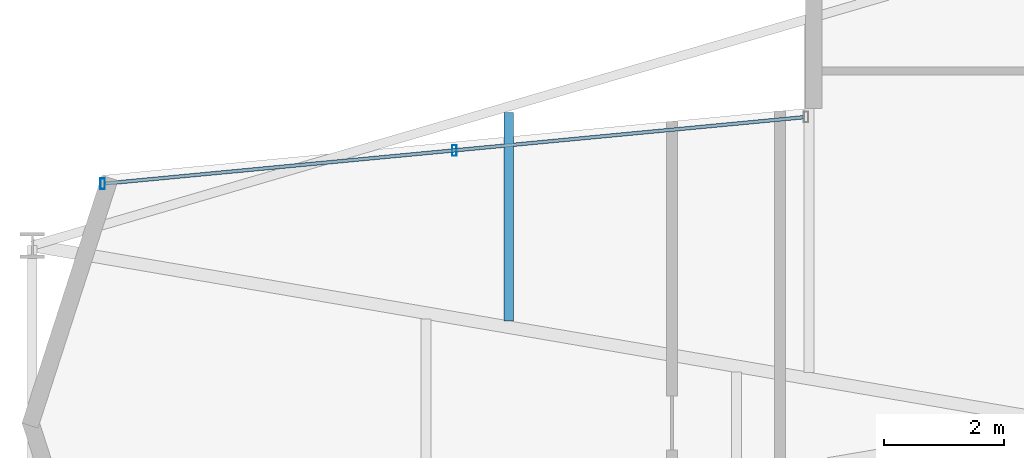
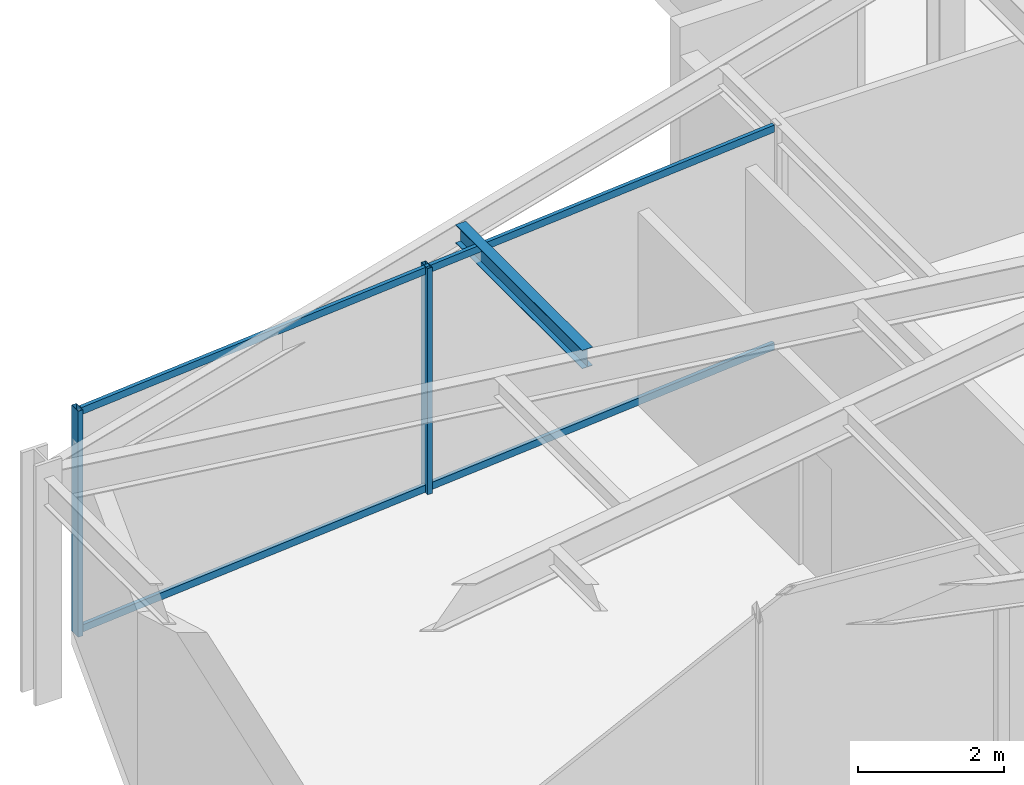
# One storey, part 8 of 21: 4 members, 1 beam, 1 element without a shape of its own.
"""IFC4 building model written with IfcOpenShell, lengths in metres."""

from ifc_helpers import new_model, si_unit, direction, frame, origin, origin_2d, place, context, subcontext, project, spatial, hollow_rectangle, i_section, extrude, material, layer, layer_set, material_profile, profile_set, type_object, element, aggregate, save


model = new_model("IFC4")

# Units and contexts
model_context = context("Model", 3, precision=1e-05, world=origin(), true_north=direction((0.0, 1.0)))
body_context = subcontext(model_context, "Body", "Model", "MODEL_VIEW")
ifc_project = project(units=[si_unit("LENGTHUNIT", "METRE"), si_unit("AREAUNIT", "SQUARE_METRE"), si_unit("VOLUMEUNIT", "CUBIC_METRE"), si_unit("PLANEANGLEUNIT", "RADIAN"), si_unit("MASSUNIT", "GRAM", prefix="KILO")], contexts=[model_context])

# Site, building, storey
site_placement = place(None, origin())
site = spatial("IfcSite", under=ifc_project, at=site_placement, CompositionType="ELEMENT")
building_placement = place(site_placement, origin())
building = spatial("IfcBuilding", under=site, at=building_placement, Name="Veymaron Broadcast Tower", CompositionType="ELEMENT")
storey_placement = place(building_placement, frame((0.0, 0.0, 228.300048828125)))
storey = spatial("IfcBuildingStorey", under=building, at=storey_placement, Name="L53", CompositionType="ELEMENT", Elevation=228.300048828125)

# Beam
ifc_material_1 = material(Name="Structural steel ASTM A992 Gr 50", Category="steel")
ifc_material_profile_1 = material_profile(ifc_material_1, i_section(OverallWidth=0.1650390625, OverallDepth=0.31005859375, WebThickness=0.005859375, FlangeThickness=0.009765625, at=origin_2d()), Name="W310X39")
ifc_profile_set_1 = profile_set([ifc_material_profile_1], Name="Structural steel ASTM A992 Gr 50")
beam_type = type_object("IfcBeamType", Name="BM-JS3", PredefinedType="JOIST", material=ifc_profile_set_1)
beam_placement = place(storey_placement, frame((21.880126953125, 25.69580078125, 3.635009765625), z_axis=(0.0, 1.0, 0.0), x_axis=(-1.0, 0.0, 0.0)))
element("IfcBeam", 1, at=beam_placement, inside=storey, type_object=beam_type, Name="L53 Arm-A secondary joist 1N", PredefinedType="JOIST", context=body_context, shape_type="SweptSolid", body=[
    extrude(i_section(OverallWidth=0.1650390625, OverallDepth=0.31005859375, WebThickness=0.005859375, FlangeThickness=0.009765625, at=origin_2d()), origin(), (0.0, 0.0, 1.0), 3.47998046875),
])

# Curtain wall, members
ifc_material_2 = material(Name="Anodised aluminium AA 6063-T6 and laminated low-E dark glass", Category="aluminium")
ifc_layer = layer(ifc_material_2, 0.179931640625)
ifc_layer_set = layer_set([ifc_layer], Name="Anodised aluminium AA 6063-T6 and laminated low-E dark glass")
curtain_wall_type = type_object("IfcCurtainWallType", Name="CW-SYS-05", PredefinedType="NOTDEFINED", material=ifc_layer_set)
curtain_wall_placement = place(storey_placement, origin())
curtain_wall = element("IfcCurtainWall", 2, at=curtain_wall_placement, inside=storey, type_object=curtain_wall_type, Name="L53 dark-glass curtain wall CW-L53-E11-1", PredefinedType="NOTDEFINED")
ifc_material_3 = material(Name="Anodised aluminium AA 6063-T6", Category="aluminium")
ifc_material_profile_2 = material_profile(ifc_material_3, hollow_rectangle(XDim=0.074951171875, YDim=0.179931640625, WallThickness=0.0048828125, at=origin_2d()), Name="AL180X75X5")
ifc_profile_set_2 = profile_set([ifc_material_profile_2], Name="Anodised aluminium AA 6063-T6")
member_type_1 = type_object("IfcMemberType", Name="CW-MUL-02", PredefinedType="MULLION", material=ifc_profile_set_2)
member_1_placement = place(storey_placement, frame((20.97509765625, 28.54248046875, 0.0), z_axis=(0.0, 0.0, 1.0), x_axis=(1.0, 0.0, 0.0)))
member_1 = element("IfcMember", 3, at=member_1_placement, type_object=member_type_1, Name="CW-L53-E11-1 mullion 1", PredefinedType="MULLION", context=body_context, shape_type="SweptSolid", body=[
    extrude(hollow_rectangle(XDim=0.074951171875, YDim=0.179931640625, WallThickness=0.0048828125, at=origin_2d()), origin(), (0.0, 0.0, 1.0), 3.7900390625),
])
member_2_placement = place(storey_placement, frame((15.11328125, 27.986083984375, 0.0), z_axis=(0.0, 0.0, 1.0), x_axis=(1.0, 0.0, 0.0)))
member_2 = element("IfcMember", 4, at=member_2_placement, type_object=member_type_1, Name="CW-L53-E11-1 mullion 2", PredefinedType="MULLION", context=body_context, shape_type="SweptSolid", body=[
    extrude(hollow_rectangle(XDim=0.074951171875, YDim=0.179931640625, WallThickness=0.0048828125, at=origin_2d()), origin(), (0.0, 0.0, 1.0), 3.7900390625),
])
ifc_material_profile_3 = material_profile(ifc_material_3, hollow_rectangle(XDim=0.06005859375, YDim=0.1201171875, WallThickness=0.00390625, at=origin_2d()), Name="AL120X60X4")
ifc_profile_set_3 = profile_set([ifc_material_profile_3], Name="Anodised aluminium AA 6063-T6")
member_type_2 = type_object("IfcMemberType", Name="CW-TRN-02", PredefinedType="USERDEFINED", material=ifc_profile_set_3)
member_3_placement = place(storey_placement, frame((26.787353515625, 29.094482421875, 0.070068359375), z_axis=(-0.995522214706, -0.094527879627, 0.0), x_axis=(0.094527879627, -0.995522214706, 0.0)))
member_3 = element("IfcMember", 5, at=member_3_placement, type_object=member_type_2, Name="CW-L53-E11-1 transom B", ObjectType="TRANSOM", PredefinedType="USERDEFINED", context=body_context, shape_type="SweptSolid", body=[
    extrude(hollow_rectangle(XDim=0.06005859375, YDim=0.1201171875, WallThickness=0.00390625, at=origin_2d()), origin(), (0.0, 0.0, 1.0), 11.676513671875),
])
member_4_placement = place(storey_placement, frame((26.787353515625, 29.094482421875, 3.719970703125), z_axis=(-0.995522214706, -0.094527879627, 0.0), x_axis=(0.094527879627, -0.995522214706, 0.0)))
member_4 = element("IfcMember", 6, at=member_4_placement, type_object=member_type_2, Name="CW-L53-E11-1 transom T", ObjectType="TRANSOM", PredefinedType="USERDEFINED", context=body_context, shape_type="SweptSolid", body=[
    extrude(hollow_rectangle(XDim=0.06005859375, YDim=0.1201171875, WallThickness=0.00390625, at=origin_2d()), origin(), (0.0, 0.0, 1.0), 11.676513671875),
])
aggregate(curtain_wall, [member_1, member_2, member_3, member_4])

save(model, "model.ifc")
